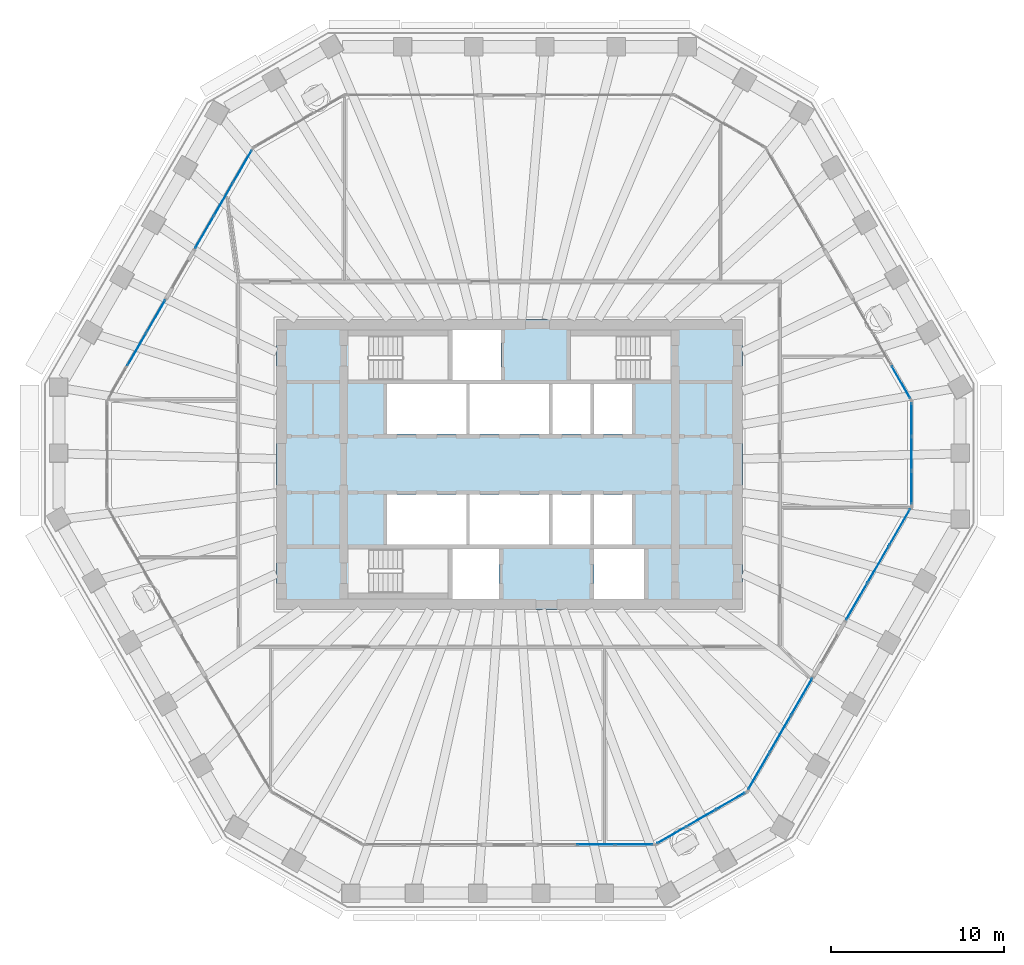
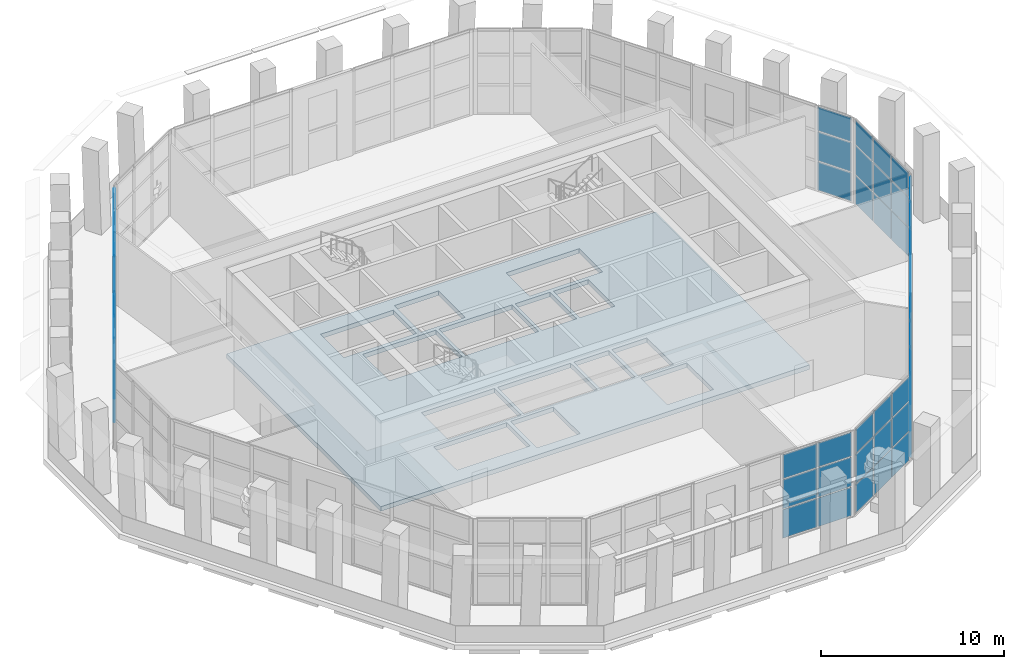
# One storey, part 10 of 19: 60 plates, 1 slab, 8 elements without a shape of their own.
"""IFC4 building model written with IfcOpenShell, lengths in metres."""

from ifc_helpers import new_model, si_unit, direction, frame, origin, origin_2d, place, context, subcontext, project, spatial, polyline, rectangle, outline, extrude, material, layer, layer_set, type_object, element, aggregate, save


model = new_model("IFC4")

# Units and contexts
model_context = context("Model", 3, precision=1e-05, world=origin(), true_north=direction((0.0, 1.0)))
body_context = subcontext(model_context, "Body", "Model", "MODEL_VIEW")
ifc_project = project(units=[si_unit("LENGTHUNIT", "METRE"), si_unit("AREAUNIT", "SQUARE_METRE"), si_unit("VOLUMEUNIT", "CUBIC_METRE"), si_unit("PLANEANGLEUNIT", "RADIAN"), si_unit("MASSUNIT", "GRAM", prefix="KILO")], contexts=[model_context])

# Site, building, storey
site_placement = place(None, origin())
site = spatial("IfcSite", under=ifc_project, at=site_placement, CompositionType="ELEMENT")
building_placement = place(site_placement, origin())
building = spatial("IfcBuilding", under=site, at=building_placement, Name="Frailejon Research Tower", CompositionType="ELEMENT")
storey_placement = place(building_placement, frame((0.0, 0.0, 231.39990234375)))
storey = spatial("IfcBuildingStorey", under=building, at=storey_placement, Name="L50", CompositionType="ELEMENT", Elevation=231.39990234375)

# Slab
ifc_material_1 = material(Name="Concrete C60/75", Category="concrete")
ifc_layer_1 = layer(ifc_material_1, 0.300048828125)
ifc_layer_set_1 = layer_set([ifc_layer_1], Name="Core floor slab 300 C60/75")
slab_type = type_object("IfcSlabType", Name="Core floor slab 300 C60/75", PredefinedType="FLOOR", material=ifc_layer_set_1)
slab_placement = place(storey_placement, frame((0.0, 0.0, -0.2998046875)))
element("IfcSlab", 1, at=slab_placement, inside=storey, type_object=slab_type, Name="Core floor slab", PredefinedType="FLOOR", context=body_context, shape_type="SweptSolid", body=[
    extrude(outline(polyline([(13.5, -8.39990234375), (13.5, 8.39990234375), (-13.5, 8.39990234375), (-13.5, -8.39990234375), (13.5, -8.39990234375)]), holes=[polyline([(-2.5, 1.75), (-2.5, 4.64990234375), (-7.10009765625, 4.64990234375), (-7.10009765625, 1.75), (-2.5, 1.75)]), polyline([(2.300048828125, 1.75), (2.300048828125, 4.64990234375), (-2.300048828125, 4.64990234375), (-2.300048828125, 1.75), (2.300048828125, 1.75)]), polyline([(4.699951171875, 1.75), (4.699951171875, 4.64990234375), (2.5, 4.64990234375), (2.5, 1.75), (4.699951171875, 1.75)]), polyline([(7.10009765625, 1.75), (7.10009765625, 4.64990234375), (4.89990234375, 4.64990234375), (4.89990234375, 1.75), (7.10009765625, 1.75)]), polyline([(-2.5, -4.64990234375), (-2.5, -1.75), (-7.10009765625, -1.75), (-7.10009765625, -4.64990234375), (-2.5, -4.64990234375)]), polyline([(2.300048828125, -4.64990234375), (2.300048828125, -1.75), (-2.300048828125, -1.75), (-2.300048828125, -4.64990234375), (2.300048828125, -4.64990234375)]), polyline([(4.699951171875, -4.64990234375), (4.699951171875, -1.75), (2.5, -1.75), (2.5, -4.64990234375), (4.699951171875, -4.64990234375)]), polyline([(7.10009765625, -4.64990234375), (7.10009765625, -1.75), (4.89990234375, -1.75), (4.89990234375, -4.64990234375), (7.10009765625, -4.64990234375)]), polyline([(-8.14697265625, 4.89990234375), (-3.550048828125, 4.89990234375), (-3.550048828125, 7.449951171875), (-8.14697265625, 7.449951171875), (-8.14697265625, 4.89990234375)]), polyline([(-8.14697265625, -7.449951171875), (-3.550048828125, -7.449951171875), (-3.550048828125, -4.89990234375), (-8.14697265625, -4.89990234375), (-8.14697265625, -7.449951171875)]), polyline([(8.14697265625, 7.449951171875), (3.550048828125, 7.449951171875), (3.550048828125, 4.89990234375), (8.14697265625, 4.89990234375), (8.14697265625, 7.449951171875)]), polyline([(-0.60009765625, -7.800048828125), (-0.60009765625, -4.89990234375), (-3.300048828125, -4.89990234375), (-3.300048828125, -7.800048828125), (-0.60009765625, -7.800048828125)]), polyline([(7.800048828125, -7.800048828125), (7.800048828125, -4.89990234375), (4.89990234375, -4.89990234375), (4.89990234375, -7.800048828125), (7.800048828125, -7.800048828125)]), polyline([(-0.5, 4.89990234375), (-0.5, 7.800048828125), (-3.300048828125, 7.800048828125), (-3.300048828125, 4.89990234375), (-0.5, 4.89990234375)])]), origin(), (0.0, 0.0, 1.0), 0.2998046875),
])

# Curtain wall, plates
ifc_material_2 = material(Name="Aluminium curtain wall", Category="aluminium")
curtain_wall_type = type_object("IfcCurtainWallType", Name="Sky lobby curtain wall system", PredefinedType="NOTDEFINED", material=ifc_material_2)
curtain_wall_1_placement = place(storey_placement, origin())
curtain_wall_1 = element("IfcCurtainWall", 2, at=curtain_wall_1_placement, inside=storey, type_object=curtain_wall_type, Name="Curtain wall L50", PredefinedType="NOTDEFINED")
ifc_material_3 = material(Name="Clear laminated glass", Category="glass")
ifc_layer_2 = layer(ifc_material_3, 0.031982421875)
ifc_layer_set_2 = layer_set([ifc_layer_2], Name="Sky lobby curtain wall glass panel 32")
plate_type = type_object("IfcPlateType", Name="Sky lobby curtain wall glass panel 32", PredefinedType="CURTAIN_PANEL", material=ifc_layer_set_2)
plate_1_placement = place(storey_placement, frame((23.29736328125, -1.338134765625, 0.070068359375), z_axis=(0.0, 0.0, 1.0), x_axis=(0.0, 1.0, 0.0)))
plate_1 = element("IfcPlate", 3, at=plate_1_placement, type_object=plate_type, Name="CW4-099 panel 1.1", PredefinedType="CURTAIN_PANEL", context=body_context, shape_type="SweptSolid", body=[
    extrude(rectangle(XDim=1.87939453125, YDim=0.031982421875, at=origin_2d()), origin(), (0.0, 0.0, 1.0), 1.89501953125),
])
plate_2_placement = place(storey_placement, frame((23.29736328125, -1.338134765625, 2.03515625), z_axis=(0.0, 0.0, 1.0), x_axis=(0.0, 1.0, 0.0)))
plate_2 = element("IfcPlate", 4, at=plate_2_placement, type_object=plate_type, Name="CW4-099 panel 1.2", PredefinedType="CURTAIN_PANEL", context=body_context, shape_type="SweptSolid", body=[
    extrude(rectangle(XDim=1.87939453125, YDim=0.031982421875, at=origin_2d()), origin(), (0.0, 0.0, 1.0), 1.929931640625),
])
plate_3_placement = place(storey_placement, frame((23.29736328125, -1.338134765625, 4.03515625), z_axis=(0.0, 0.0, 1.0), x_axis=(0.0, 1.0, 0.0)))
plate_3 = element("IfcPlate", 5, at=plate_3_placement, type_object=plate_type, Name="CW4-099 panel 1.3", PredefinedType="CURTAIN_PANEL", context=body_context, shape_type="SweptSolid", body=[
    extrude(rectangle(XDim=1.87939453125, YDim=0.031982421875, at=origin_2d()), origin(), (0.0, 0.0, 1.0), 1.594970703125),
])
plate_4_placement = place(storey_placement, frame((23.29736328125, 0.628662109375, 0.070068359375), z_axis=(0.0, 0.0, 1.0), x_axis=(0.0, 1.0, 0.0)))
plate_4 = element("IfcPlate", 6, at=plate_4_placement, type_object=plate_type, Name="CW4-099 panel 2.1", PredefinedType="CURTAIN_PANEL", context=body_context, shape_type="SweptSolid", body=[
    extrude(rectangle(XDim=1.914306640625, YDim=0.031982421875, at=origin_2d()), origin(), (0.0, 0.0, 1.0), 1.89501953125),
])
plate_5_placement = place(storey_placement, frame((23.29736328125, 0.628662109375, 2.03515625), z_axis=(0.0, 0.0, 1.0), x_axis=(0.0, 1.0, 0.0)))
plate_5 = element("IfcPlate", 7, at=plate_5_placement, type_object=plate_type, Name="CW4-099 panel 2.2", PredefinedType="CURTAIN_PANEL", context=body_context, shape_type="SweptSolid", body=[
    extrude(rectangle(XDim=1.914306640625, YDim=0.031982421875, at=origin_2d()), origin(), (0.0, 0.0, 1.0), 1.929931640625),
])
plate_6_placement = place(storey_placement, frame((23.29736328125, 0.628662109375, 4.03515625), z_axis=(0.0, 0.0, 1.0), x_axis=(0.0, 1.0, 0.0)))
plate_6 = element("IfcPlate", 8, at=plate_6_placement, type_object=plate_type, Name="CW4-099 panel 2.3", PredefinedType="CURTAIN_PANEL", context=body_context, shape_type="SweptSolid", body=[
    extrude(rectangle(XDim=1.914306640625, YDim=0.031982421875, at=origin_2d()), origin(), (0.0, 0.0, 1.0), 1.594970703125),
])
plate_7_placement = place(storey_placement, frame((23.29736328125, 2.595458984375, 0.070068359375), z_axis=(0.0, 0.0, 1.0), x_axis=(0.0, 1.0, 0.0)))
plate_7 = element("IfcPlate", 9, at=plate_7_placement, type_object=plate_type, Name="CW4-099 panel 3.1", PredefinedType="CURTAIN_PANEL", context=body_context, shape_type="SweptSolid", body=[
    extrude(rectangle(XDim=1.87939453125, YDim=0.031982421875, at=origin_2d()), origin(), (0.0, 0.0, 1.0), 1.89501953125),
])
plate_8_placement = place(storey_placement, frame((23.29736328125, 2.595458984375, 2.03515625), z_axis=(0.0, 0.0, 1.0), x_axis=(0.0, 1.0, 0.0)))
plate_8 = element("IfcPlate", 10, at=plate_8_placement, type_object=plate_type, Name="CW4-099 panel 3.2", PredefinedType="CURTAIN_PANEL", context=body_context, shape_type="SweptSolid", body=[
    extrude(rectangle(XDim=1.87939453125, YDim=0.031982421875, at=origin_2d()), origin(), (0.0, 0.0, 1.0), 1.929931640625),
])
plate_9_placement = place(storey_placement, frame((23.29736328125, 2.595458984375, 4.03515625), z_axis=(0.0, 0.0, 1.0), x_axis=(0.0, 1.0, 0.0)))
plate_9 = element("IfcPlate", 11, at=plate_9_placement, type_object=plate_type, Name="CW4-099 panel 3.3", PredefinedType="CURTAIN_PANEL", context=body_context, shape_type="SweptSolid", body=[
    extrude(rectangle(XDim=1.87939453125, YDim=0.031982421875, at=origin_2d()), origin(), (0.0, 0.0, 1.0), 1.594970703125),
])
aggregate(curtain_wall_1, [plate_1, plate_2, plate_3, plate_4, plate_5, plate_6, plate_7, plate_8, plate_9])

curtain_wall_2_placement = place(storey_placement, origin())
curtain_wall_2 = element("IfcCurtainWall", 12, at=curtain_wall_2_placement, inside=storey, type_object=curtain_wall_type, Name="Curtain wall L50", PredefinedType="NOTDEFINED")
plate_10_placement = place(storey_placement, frame((22.684326171875, 4.766845703125, 0.070068359375), z_axis=(0.0, 0.0, 1.0), x_axis=(-0.500000064178, 0.866025366731, 0.0)))
plate_10 = element("IfcPlate", 13, at=plate_10_placement, type_object=plate_type, Name="CW4-100 panel 1.1", PredefinedType="CURTAIN_PANEL", context=body_context, shape_type="SweptSolid", body=[
    extrude(rectangle(XDim=2.1123046875, YDim=0.031982421875, at=origin_2d()), origin(), (0.0, 0.0, 1.0), 1.89501953125),
])
plate_11_placement = place(storey_placement, frame((22.684326171875, 4.766845703125, 2.03515625), z_axis=(0.0, 0.0, 1.0), x_axis=(-0.500000064178, 0.866025366731, 0.0)))
plate_11 = element("IfcPlate", 14, at=plate_11_placement, type_object=plate_type, Name="CW4-100 panel 1.2", PredefinedType="CURTAIN_PANEL", context=body_context, shape_type="SweptSolid", body=[
    extrude(rectangle(XDim=2.1123046875, YDim=0.031982421875, at=origin_2d()), origin(), (0.0, 0.0, 1.0), 1.929931640625),
])
plate_12_placement = place(storey_placement, frame((22.684326171875, 4.766845703125, 4.03515625), z_axis=(0.0, 0.0, 1.0), x_axis=(-0.500000064178, 0.866025366731, 0.0)))
plate_12 = element("IfcPlate", 15, at=plate_12_placement, type_object=plate_type, Name="CW4-100 panel 1.3", PredefinedType="CURTAIN_PANEL", context=body_context, shape_type="SweptSolid", body=[
    extrude(rectangle(XDim=2.1123046875, YDim=0.031982421875, at=origin_2d()), origin(), (0.0, 0.0, 1.0), 1.594970703125),
])
aggregate(curtain_wall_2, [plate_10, plate_11, plate_12])

curtain_wall_3_placement = place(storey_placement, origin())
curtain_wall_3 = element("IfcCurtainWall", 16, at=curtain_wall_3_placement, inside=storey, type_object=curtain_wall_type, Name="Curtain wall L50", PredefinedType="NOTDEFINED")
plate_13_placement = place(storey_placement, frame((-15.470458984375, 17.26171875, 0.070068359375), z_axis=(0.0, 0.0, 1.0), x_axis=(-0.500000064178, -0.866025366731, 0.0)))
plate_13 = element("IfcPlate", 17, at=plate_13_placement, type_object=plate_type, Name="CW4-106 panel 1.1", PredefinedType="CURTAIN_PANEL", context=body_context, shape_type="SweptSolid", body=[
    extrude(rectangle(XDim=2.1123046875, YDim=0.031982421875, at=origin_2d()), origin(), (0.0, 0.0, 1.0), 1.89501953125),
])
plate_14_placement = place(storey_placement, frame((-15.470458984375, 17.26171875, 2.03515625), z_axis=(0.0, 0.0, 1.0), x_axis=(-0.500000064178, -0.866025366731, 0.0)))
plate_14 = element("IfcPlate", 18, at=plate_14_placement, type_object=plate_type, Name="CW4-106 panel 1.2", PredefinedType="CURTAIN_PANEL", context=body_context, shape_type="SweptSolid", body=[
    extrude(rectangle(XDim=2.1123046875, YDim=0.031982421875, at=origin_2d()), origin(), (0.0, 0.0, 1.0), 1.929931640625),
])
plate_15_placement = place(storey_placement, frame((-15.470458984375, 17.26171875, 4.03515625), z_axis=(0.0, 0.0, 1.0), x_axis=(-0.500000064178, -0.866025366731, 0.0)))
plate_15 = element("IfcPlate", 19, at=plate_15_placement, type_object=plate_type, Name="CW4-106 panel 1.3", PredefinedType="CURTAIN_PANEL", context=body_context, shape_type="SweptSolid", body=[
    extrude(rectangle(XDim=2.1123046875, YDim=0.031982421875, at=origin_2d()), origin(), (0.0, 0.0, 1.0), 1.594970703125),
])
plate_16_placement = place(storey_placement, frame((-16.5703125, 15.3564453125, 0.070068359375), z_axis=(0.0, 0.0, 1.0), x_axis=(-0.500000064178, -0.866025366731, 0.0)))
plate_16 = element("IfcPlate", 20, at=plate_16_placement, type_object=plate_type, Name="CW4-106 panel 2.1", PredefinedType="CURTAIN_PANEL", context=body_context, shape_type="SweptSolid", body=[
    extrude(rectangle(XDim=2.147216796875, YDim=0.031982421875, at=origin_2d()), origin(), (0.0, 0.0, 1.0), 1.89501953125),
])
plate_17_placement = place(storey_placement, frame((-16.5703125, 15.3564453125, 2.03515625), z_axis=(0.0, 0.0, 1.0), x_axis=(-0.500000064178, -0.866025366731, 0.0)))
plate_17 = element("IfcPlate", 21, at=plate_17_placement, type_object=plate_type, Name="CW4-106 panel 2.2", PredefinedType="CURTAIN_PANEL", context=body_context, shape_type="SweptSolid", body=[
    extrude(rectangle(XDim=2.147216796875, YDim=0.031982421875, at=origin_2d()), origin(), (0.0, 0.0, 1.0), 1.929931640625),
])
plate_18_placement = place(storey_placement, frame((-16.5703125, 15.3564453125, 4.03515625), z_axis=(0.0, 0.0, 1.0), x_axis=(-0.500000064178, -0.866025366731, 0.0)))
plate_18 = element("IfcPlate", 22, at=plate_18_placement, type_object=plate_type, Name="CW4-106 panel 2.3", PredefinedType="CURTAIN_PANEL", context=body_context, shape_type="SweptSolid", body=[
    extrude(rectangle(XDim=2.147216796875, YDim=0.031982421875, at=origin_2d()), origin(), (0.0, 0.0, 1.0), 1.594970703125),
])
plate_19_placement = place(storey_placement, frame((-17.670166015625, 13.451416015625, 0.070068359375), z_axis=(0.0, 0.0, 1.0), x_axis=(-0.500000064178, -0.866025366731, 0.0)))
plate_19 = element("IfcPlate", 23, at=plate_19_placement, type_object=plate_type, Name="CW4-106 panel 3.1", PredefinedType="CURTAIN_PANEL", context=body_context, shape_type="SweptSolid", body=[
    extrude(rectangle(XDim=2.1123046875, YDim=0.031982421875, at=origin_2d()), origin(), (0.0, 0.0, 1.0), 1.89501953125),
])
plate_20_placement = place(storey_placement, frame((-17.670166015625, 13.451416015625, 2.03515625), z_axis=(0.0, 0.0, 1.0), x_axis=(-0.500000064178, -0.866025366731, 0.0)))
plate_20 = element("IfcPlate", 24, at=plate_20_placement, type_object=plate_type, Name="CW4-106 panel 3.2", PredefinedType="CURTAIN_PANEL", context=body_context, shape_type="SweptSolid", body=[
    extrude(rectangle(XDim=2.1123046875, YDim=0.031982421875, at=origin_2d()), origin(), (0.0, 0.0, 1.0), 1.929931640625),
])
plate_21_placement = place(storey_placement, frame((-17.670166015625, 13.451416015625, 4.03515625), z_axis=(0.0, 0.0, 1.0), x_axis=(-0.500000064178, -0.866025366731, 0.0)))
plate_21 = element("IfcPlate", 25, at=plate_21_placement, type_object=plate_type, Name="CW4-106 panel 3.3", PredefinedType="CURTAIN_PANEL", context=body_context, shape_type="SweptSolid", body=[
    extrude(rectangle(XDim=2.1123046875, YDim=0.031982421875, at=origin_2d()), origin(), (0.0, 0.0, 1.0), 1.594970703125),
])
aggregate(curtain_wall_3, [plate_13, plate_14, plate_15, plate_16, plate_17, plate_18, plate_19, plate_20, plate_21])

curtain_wall_4_placement = place(storey_placement, origin())
curtain_wall_4 = element("IfcCurtainWall", 26, at=curtain_wall_4_placement, inside=storey, type_object=curtain_wall_type, Name="Curtain wall L50", PredefinedType="NOTDEFINED")
plate_22_placement = place(storey_placement, frame((-20.484375, 8.5771484375, 0.070068359375), z_axis=(0.0, 0.0, 1.0), x_axis=(-0.500000064178, -0.866025366731, 0.0)))
plate_22 = element("IfcPlate", 27, at=plate_22_placement, type_object=plate_type, Name="CW4-107 panel 1.1", PredefinedType="CURTAIN_PANEL", context=body_context, shape_type="SweptSolid", body=[
    extrude(rectangle(XDim=2.1123046875, YDim=0.031982421875, at=origin_2d()), origin(), (0.0, 0.0, 1.0), 1.89501953125),
])
plate_23_placement = place(storey_placement, frame((-20.484375, 8.5771484375, 2.03515625), z_axis=(0.0, 0.0, 1.0), x_axis=(-0.500000064178, -0.866025366731, 0.0)))
plate_23 = element("IfcPlate", 28, at=plate_23_placement, type_object=plate_type, Name="CW4-107 panel 1.2", PredefinedType="CURTAIN_PANEL", context=body_context, shape_type="SweptSolid", body=[
    extrude(rectangle(XDim=2.1123046875, YDim=0.031982421875, at=origin_2d()), origin(), (0.0, 0.0, 1.0), 1.929931640625),
])
plate_24_placement = place(storey_placement, frame((-20.484375, 8.5771484375, 4.03515625), z_axis=(0.0, 0.0, 1.0), x_axis=(-0.500000064178, -0.866025366731, 0.0)))
plate_24 = element("IfcPlate", 29, at=plate_24_placement, type_object=plate_type, Name="CW4-107 panel 1.3", PredefinedType="CURTAIN_PANEL", context=body_context, shape_type="SweptSolid", body=[
    extrude(rectangle(XDim=2.1123046875, YDim=0.031982421875, at=origin_2d()), origin(), (0.0, 0.0, 1.0), 1.594970703125),
])
plate_25_placement = place(storey_placement, frame((-21.584228515625, 6.672119140625, 0.070068359375), z_axis=(0.0, 0.0, 1.0), x_axis=(-0.500000064178, -0.866025366731, 0.0)))
plate_25 = element("IfcPlate", 30, at=plate_25_placement, type_object=plate_type, Name="CW4-107 panel 2.1", PredefinedType="CURTAIN_PANEL", context=body_context, shape_type="SweptSolid", body=[
    extrude(rectangle(XDim=2.147216796875, YDim=0.031982421875, at=origin_2d()), origin(), (0.0, 0.0, 1.0), 1.89501953125),
])
plate_26_placement = place(storey_placement, frame((-21.584228515625, 6.672119140625, 2.03515625), z_axis=(0.0, 0.0, 1.0), x_axis=(-0.500000064178, -0.866025366731, 0.0)))
plate_26 = element("IfcPlate", 31, at=plate_26_placement, type_object=plate_type, Name="CW4-107 panel 2.2", PredefinedType="CURTAIN_PANEL", context=body_context, shape_type="SweptSolid", body=[
    extrude(rectangle(XDim=2.147216796875, YDim=0.031982421875, at=origin_2d()), origin(), (0.0, 0.0, 1.0), 1.929931640625),
])
plate_27_placement = place(storey_placement, frame((-21.584228515625, 6.672119140625, 4.03515625), z_axis=(0.0, 0.0, 1.0), x_axis=(-0.500000064178, -0.866025366731, 0.0)))
plate_27 = element("IfcPlate", 32, at=plate_27_placement, type_object=plate_type, Name="CW4-107 panel 2.3", PredefinedType="CURTAIN_PANEL", context=body_context, shape_type="SweptSolid", body=[
    extrude(rectangle(XDim=2.147216796875, YDim=0.031982421875, at=origin_2d()), origin(), (0.0, 0.0, 1.0), 1.594970703125),
])
aggregate(curtain_wall_4, [plate_22, plate_23, plate_24, plate_25, plate_26, plate_27])

curtain_wall_5_placement = place(storey_placement, origin())
curtain_wall_5 = element("IfcCurtainWall", 33, at=curtain_wall_5_placement, inside=storey, type_object=curtain_wall_type, Name="Curtain wall L50", PredefinedType="NOTDEFINED")
plate_28_placement = place(storey_placement, frame((5.013916015625, -22.028564453125, 0.070068359375), z_axis=(0.0, 0.0, 1.0), x_axis=(1.0, 0.0, 0.0)))
plate_28 = element("IfcPlate", 34, at=plate_28_placement, type_object=plate_type, Name="CW4-113 panel 2.1", PredefinedType="CURTAIN_PANEL", context=body_context, shape_type="SweptSolid", body=[
    extrude(rectangle(XDim=2.147216796875, YDim=0.031982421875, at=origin_2d()), origin(), (0.0, 0.0, 1.0), 1.89501953125),
])
plate_29_placement = place(storey_placement, frame((5.013916015625, -22.028564453125, 2.03515625), z_axis=(0.0, 0.0, 1.0), x_axis=(1.0, 0.0, 0.0)))
plate_29 = element("IfcPlate", 35, at=plate_29_placement, type_object=plate_type, Name="CW4-113 panel 2.2", PredefinedType="CURTAIN_PANEL", context=body_context, shape_type="SweptSolid", body=[
    extrude(rectangle(XDim=2.147216796875, YDim=0.031982421875, at=origin_2d()), origin(), (0.0, 0.0, 1.0), 1.929931640625),
])
plate_30_placement = place(storey_placement, frame((5.013916015625, -22.028564453125, 4.03515625), z_axis=(0.0, 0.0, 1.0), x_axis=(1.0, 0.0, 0.0)))
plate_30 = element("IfcPlate", 36, at=plate_30_placement, type_object=plate_type, Name="CW4-113 panel 2.3", PredefinedType="CURTAIN_PANEL", context=body_context, shape_type="SweptSolid", body=[
    extrude(rectangle(XDim=2.147216796875, YDim=0.031982421875, at=origin_2d()), origin(), (0.0, 0.0, 1.0), 1.594970703125),
])
plate_31_placement = place(storey_placement, frame((7.2138671875, -22.028564453125, 0.070068359375), z_axis=(0.0, 0.0, 1.0), x_axis=(1.0, 0.0, 0.0)))
plate_31 = element("IfcPlate", 37, at=plate_31_placement, type_object=plate_type, Name="CW4-113 panel 3.1", PredefinedType="CURTAIN_PANEL", context=body_context, shape_type="SweptSolid", body=[
    extrude(rectangle(XDim=2.1123046875, YDim=0.031982421875, at=origin_2d()), origin(), (0.0, 0.0, 1.0), 1.89501953125),
])
plate_32_placement = place(storey_placement, frame((7.2138671875, -22.028564453125, 2.03515625), z_axis=(0.0, 0.0, 1.0), x_axis=(1.0, 0.0, 0.0)))
plate_32 = element("IfcPlate", 38, at=plate_32_placement, type_object=plate_type, Name="CW4-113 panel 3.2", PredefinedType="CURTAIN_PANEL", context=body_context, shape_type="SweptSolid", body=[
    extrude(rectangle(XDim=2.1123046875, YDim=0.031982421875, at=origin_2d()), origin(), (0.0, 0.0, 1.0), 1.929931640625),
])
plate_33_placement = place(storey_placement, frame((7.2138671875, -22.028564453125, 4.03515625), z_axis=(0.0, 0.0, 1.0), x_axis=(1.0, 0.0, 0.0)))
plate_33 = element("IfcPlate", 39, at=plate_33_placement, type_object=plate_type, Name="CW4-113 panel 3.3", PredefinedType="CURTAIN_PANEL", context=body_context, shape_type="SweptSolid", body=[
    extrude(rectangle(XDim=2.1123046875, YDim=0.031982421875, at=origin_2d()), origin(), (0.0, 0.0, 1.0), 1.594970703125),
])
aggregate(curtain_wall_5, [plate_28, plate_29, plate_30, plate_31, plate_32, plate_33])

curtain_wall_6_placement = place(storey_placement, origin())
curtain_wall_6 = element("IfcCurtainWall", 40, at=curtain_wall_6_placement, inside=storey, type_object=curtain_wall_type, Name="Curtain wall L50", PredefinedType="NOTDEFINED")
plate_34_placement = place(storey_placement, frame((9.40087890625, -21.4736328125, 0.070068359375), z_axis=(0.0, 0.0, 1.0), x_axis=(0.866030610282, 0.499990981974, 0.0)))
plate_34 = element("IfcPlate", 41, at=plate_34_placement, type_object=plate_type, Name="CW4-114 panel 1.1", PredefinedType="CURTAIN_PANEL", context=body_context, shape_type="SweptSolid", body=[
    extrude(rectangle(XDim=1.87939453125, YDim=0.031982421875, at=origin_2d()), origin(), (0.0, 0.0, 1.0), 1.89501953125),
])
plate_35_placement = place(storey_placement, frame((9.40087890625, -21.4736328125, 2.03515625), z_axis=(0.0, 0.0, 1.0), x_axis=(0.866030610282, 0.499990981974, 0.0)))
plate_35 = element("IfcPlate", 42, at=plate_35_placement, type_object=plate_type, Name="CW4-114 panel 1.2", PredefinedType="CURTAIN_PANEL", context=body_context, shape_type="SweptSolid", body=[
    extrude(rectangle(XDim=1.87939453125, YDim=0.031982421875, at=origin_2d()), origin(), (0.0, 0.0, 1.0), 1.929931640625),
])
plate_36_placement = place(storey_placement, frame((9.40087890625, -21.4736328125, 4.03515625), z_axis=(0.0, 0.0, 1.0), x_axis=(0.866030610282, 0.499990981974, 0.0)))
plate_36 = element("IfcPlate", 43, at=plate_36_placement, type_object=plate_type, Name="CW4-114 panel 1.3", PredefinedType="CURTAIN_PANEL", context=body_context, shape_type="SweptSolid", body=[
    extrude(rectangle(XDim=1.87939453125, YDim=0.031982421875, at=origin_2d()), origin(), (0.0, 0.0, 1.0), 1.594970703125),
])
plate_37_placement = place(storey_placement, frame((11.104248046875, -20.490234375, 0.070068359375), z_axis=(0.0, 0.0, 1.0), x_axis=(0.866030610282, 0.499990981974, 0.0)))
plate_37 = element("IfcPlate", 44, at=plate_37_placement, type_object=plate_type, Name="CW4-114 panel 2.1", PredefinedType="CURTAIN_PANEL", context=body_context, shape_type="SweptSolid", body=[
    extrude(rectangle(XDim=1.914306640625, YDim=0.031982421875, at=origin_2d()), origin(), (0.0, 0.0, 1.0), 1.89501953125),
])
plate_38_placement = place(storey_placement, frame((11.104248046875, -20.490234375, 2.03515625), z_axis=(0.0, 0.0, 1.0), x_axis=(0.866030610282, 0.499990981974, 0.0)))
plate_38 = element("IfcPlate", 45, at=plate_38_placement, type_object=plate_type, Name="CW4-114 panel 2.2", PredefinedType="CURTAIN_PANEL", context=body_context, shape_type="SweptSolid", body=[
    extrude(rectangle(XDim=1.914306640625, YDim=0.031982421875, at=origin_2d()), origin(), (0.0, 0.0, 1.0), 1.929931640625),
])
plate_39_placement = place(storey_placement, frame((11.104248046875, -20.490234375, 4.03515625), z_axis=(0.0, 0.0, 1.0), x_axis=(0.866030610282, 0.499990981974, 0.0)))
plate_39 = element("IfcPlate", 46, at=plate_39_placement, type_object=plate_type, Name="CW4-114 panel 2.3", PredefinedType="CURTAIN_PANEL", context=body_context, shape_type="SweptSolid", body=[
    extrude(rectangle(XDim=1.914306640625, YDim=0.031982421875, at=origin_2d()), origin(), (0.0, 0.0, 1.0), 1.594970703125),
])
plate_40_placement = place(storey_placement, frame((12.8076171875, -19.5068359375, 0.070068359375), z_axis=(0.0, 0.0, 1.0), x_axis=(0.866030610282, 0.499990981974, 0.0)))
plate_40 = element("IfcPlate", 47, at=plate_40_placement, type_object=plate_type, Name="CW4-114 panel 3.1", PredefinedType="CURTAIN_PANEL", context=body_context, shape_type="SweptSolid", body=[
    extrude(rectangle(XDim=1.87939453125, YDim=0.031982421875, at=origin_2d()), origin(), (0.0, 0.0, 1.0), 1.89501953125),
])
plate_41_placement = place(storey_placement, frame((12.8076171875, -19.5068359375, 2.03515625), z_axis=(0.0, 0.0, 1.0), x_axis=(0.866030610282, 0.499990981974, 0.0)))
plate_41 = element("IfcPlate", 48, at=plate_41_placement, type_object=plate_type, Name="CW4-114 panel 3.2", PredefinedType="CURTAIN_PANEL", context=body_context, shape_type="SweptSolid", body=[
    extrude(rectangle(XDim=1.87939453125, YDim=0.031982421875, at=origin_2d()), origin(), (0.0, 0.0, 1.0), 1.929931640625),
])
plate_42_placement = place(storey_placement, frame((12.8076171875, -19.5068359375, 4.03515625), z_axis=(0.0, 0.0, 1.0), x_axis=(0.866030610282, 0.499990981974, 0.0)))
plate_42 = element("IfcPlate", 49, at=plate_42_placement, type_object=plate_type, Name="CW4-114 panel 3.3", PredefinedType="CURTAIN_PANEL", context=body_context, shape_type="SweptSolid", body=[
    extrude(rectangle(XDim=1.87939453125, YDim=0.031982421875, at=origin_2d()), origin(), (0.0, 0.0, 1.0), 1.594970703125),
])
aggregate(curtain_wall_6, [plate_34, plate_35, plate_36, plate_37, plate_38, plate_39, plate_40, plate_41, plate_42])

curtain_wall_7_placement = place(storey_placement, origin())
curtain_wall_7 = element("IfcCurtainWall", 50, at=curtain_wall_7_placement, inside=storey, type_object=curtain_wall_type, Name="Curtain wall L50", PredefinedType="NOTDEFINED")
plate_43_placement = place(storey_placement, frame((14.454345703125, -17.764404296875, 0.070068359375), z_axis=(0.0, 0.0, 1.0), x_axis=(0.500000524505, 0.866025100961, 0.0)))
plate_43 = element("IfcPlate", 51, at=plate_43_placement, type_object=plate_type, Name="CW4-115 panel 1.1", PredefinedType="CURTAIN_PANEL", context=body_context, shape_type="SweptSolid", body=[
    extrude(rectangle(XDim=2.402587890625, YDim=0.031982421875, at=origin_2d()), origin(), (0.0, 0.0, 1.0), 1.89501953125),
])
plate_44_placement = place(storey_placement, frame((14.454345703125, -17.764404296875, 2.03515625), z_axis=(0.0, 0.0, 1.0), x_axis=(0.500000524505, 0.866025100961, 0.0)))
plate_44 = element("IfcPlate", 52, at=plate_44_placement, type_object=plate_type, Name="CW4-115 panel 1.2", PredefinedType="CURTAIN_PANEL", context=body_context, shape_type="SweptSolid", body=[
    extrude(rectangle(XDim=2.402587890625, YDim=0.031982421875, at=origin_2d()), origin(), (0.0, 0.0, 1.0), 1.929931640625),
])
plate_45_placement = place(storey_placement, frame((14.454345703125, -17.764404296875, 4.03515625), z_axis=(0.0, 0.0, 1.0), x_axis=(0.500000524505, 0.866025100961, 0.0)))
plate_45 = element("IfcPlate", 53, at=plate_45_placement, type_object=plate_type, Name="CW4-115 panel 1.3", PredefinedType="CURTAIN_PANEL", context=body_context, shape_type="SweptSolid", body=[
    extrude(rectangle(XDim=2.402587890625, YDim=0.031982421875, at=origin_2d()), origin(), (0.0, 0.0, 1.0), 1.594970703125),
])
plate_46_placement = place(storey_placement, frame((15.699462890625, -15.60791015625, 0.070068359375), z_axis=(0.0, 0.0, 1.0), x_axis=(0.500000524505, 0.866025100961, 0.0)))
plate_46 = element("IfcPlate", 54, at=plate_46_placement, type_object=plate_type, Name="CW4-115 panel 2.1", PredefinedType="CURTAIN_PANEL", context=body_context, shape_type="SweptSolid", body=[
    extrude(rectangle(XDim=2.437744140625, YDim=0.031982421875, at=origin_2d()), origin(), (0.0, 0.0, 1.0), 1.89501953125),
])
plate_47_placement = place(storey_placement, frame((15.699462890625, -15.60791015625, 2.03515625), z_axis=(0.0, 0.0, 1.0), x_axis=(0.500000524505, 0.866025100961, 0.0)))
plate_47 = element("IfcPlate", 55, at=plate_47_placement, type_object=plate_type, Name="CW4-115 panel 2.2", PredefinedType="CURTAIN_PANEL", context=body_context, shape_type="SweptSolid", body=[
    extrude(rectangle(XDim=2.437744140625, YDim=0.031982421875, at=origin_2d()), origin(), (0.0, 0.0, 1.0), 1.929931640625),
])
plate_48_placement = place(storey_placement, frame((15.699462890625, -15.60791015625, 4.03515625), z_axis=(0.0, 0.0, 1.0), x_axis=(0.500000524505, 0.866025100961, 0.0)))
plate_48 = element("IfcPlate", 56, at=plate_48_placement, type_object=plate_type, Name="CW4-115 panel 2.3", PredefinedType="CURTAIN_PANEL", context=body_context, shape_type="SweptSolid", body=[
    extrude(rectangle(XDim=2.437744140625, YDim=0.031982421875, at=origin_2d()), origin(), (0.0, 0.0, 1.0), 1.594970703125),
])
plate_49_placement = place(storey_placement, frame((16.9443359375, -13.451416015625, 0.070068359375), z_axis=(0.0, 0.0, 1.0), x_axis=(0.500000524505, 0.866025100961, 0.0)))
plate_49 = element("IfcPlate", 57, at=plate_49_placement, type_object=plate_type, Name="CW4-115 panel 3.1", PredefinedType="CURTAIN_PANEL", context=body_context, shape_type="SweptSolid", body=[
    extrude(rectangle(XDim=2.402587890625, YDim=0.031982421875, at=origin_2d()), origin(), (0.0, 0.0, 1.0), 1.89501953125),
])
plate_50_placement = place(storey_placement, frame((16.9443359375, -13.451416015625, 2.03515625), z_axis=(0.0, 0.0, 1.0), x_axis=(0.500000524505, 0.866025100961, 0.0)))
plate_50 = element("IfcPlate", 58, at=plate_50_placement, type_object=plate_type, Name="CW4-115 panel 3.2", PredefinedType="CURTAIN_PANEL", context=body_context, shape_type="SweptSolid", body=[
    extrude(rectangle(XDim=2.402587890625, YDim=0.031982421875, at=origin_2d()), origin(), (0.0, 0.0, 1.0), 1.929931640625),
])
plate_51_placement = place(storey_placement, frame((16.9443359375, -13.451416015625, 4.03515625), z_axis=(0.0, 0.0, 1.0), x_axis=(0.500000524505, 0.866025100961, 0.0)))
plate_51 = element("IfcPlate", 59, at=plate_51_placement, type_object=plate_type, Name="CW4-115 panel 3.3", PredefinedType="CURTAIN_PANEL", context=body_context, shape_type="SweptSolid", body=[
    extrude(rectangle(XDim=2.402587890625, YDim=0.031982421875, at=origin_2d()), origin(), (0.0, 0.0, 1.0), 1.594970703125),
])
aggregate(curtain_wall_7, [plate_43, plate_44, plate_45, plate_46, plate_47, plate_48, plate_49, plate_50, plate_51])

curtain_wall_8_placement = place(storey_placement, origin())
curtain_wall_8 = element("IfcCurtainWall", 60, at=curtain_wall_8_placement, inside=storey, type_object=curtain_wall_type, Name="Curtain wall L50", PredefinedType="NOTDEFINED")
plate_52_placement = place(storey_placement, frame((20.12158203125, -7.948486328125, 0.070068359375), z_axis=(0.0, 0.0, 1.0), x_axis=(0.500000524505, 0.866025100961, 0.0)))
plate_52 = element("IfcPlate", 61, at=plate_52_placement, type_object=plate_type, Name="CW4-116 panel 1.1", PredefinedType="CURTAIN_PANEL", context=body_context, shape_type="SweptSolid", body=[
    extrude(rectangle(XDim=2.402587890625, YDim=0.031982421875, at=origin_2d()), origin(), (0.0, 0.0, 1.0), 1.89501953125),
])
plate_53_placement = place(storey_placement, frame((20.12158203125, -7.948486328125, 2.03515625), z_axis=(0.0, 0.0, 1.0), x_axis=(0.500000524505, 0.866025100961, 0.0)))
plate_53 = element("IfcPlate", 62, at=plate_53_placement, type_object=plate_type, Name="CW4-116 panel 1.2", PredefinedType="CURTAIN_PANEL", context=body_context, shape_type="SweptSolid", body=[
    extrude(rectangle(XDim=2.402587890625, YDim=0.031982421875, at=origin_2d()), origin(), (0.0, 0.0, 1.0), 1.929931640625),
])
plate_54_placement = place(storey_placement, frame((20.12158203125, -7.948486328125, 4.03515625), z_axis=(0.0, 0.0, 1.0), x_axis=(0.500000524505, 0.866025100961, 0.0)))
plate_54 = element("IfcPlate", 63, at=plate_54_placement, type_object=plate_type, Name="CW4-116 panel 1.3", PredefinedType="CURTAIN_PANEL", context=body_context, shape_type="SweptSolid", body=[
    extrude(rectangle(XDim=2.402587890625, YDim=0.031982421875, at=origin_2d()), origin(), (0.0, 0.0, 1.0), 1.594970703125),
])
plate_55_placement = place(storey_placement, frame((21.366455078125, -5.7919921875, 0.070068359375), z_axis=(0.0, 0.0, 1.0), x_axis=(0.500000524505, 0.866025100961, 0.0)))
plate_55 = element("IfcPlate", 64, at=plate_55_placement, type_object=plate_type, Name="CW4-116 panel 2.1", PredefinedType="CURTAIN_PANEL", context=body_context, shape_type="SweptSolid", body=[
    extrude(rectangle(XDim=2.437744140625, YDim=0.031982421875, at=origin_2d()), origin(), (0.0, 0.0, 1.0), 1.89501953125),
])
plate_56_placement = place(storey_placement, frame((21.366455078125, -5.7919921875, 2.03515625), z_axis=(0.0, 0.0, 1.0), x_axis=(0.500000524505, 0.866025100961, 0.0)))
plate_56 = element("IfcPlate", 65, at=plate_56_placement, type_object=plate_type, Name="CW4-116 panel 2.2", PredefinedType="CURTAIN_PANEL", context=body_context, shape_type="SweptSolid", body=[
    extrude(rectangle(XDim=2.437744140625, YDim=0.031982421875, at=origin_2d()), origin(), (0.0, 0.0, 1.0), 1.929931640625),
])
plate_57_placement = place(storey_placement, frame((21.366455078125, -5.7919921875, 4.03515625), z_axis=(0.0, 0.0, 1.0), x_axis=(0.500000524505, 0.866025100961, 0.0)))
plate_57 = element("IfcPlate", 66, at=plate_57_placement, type_object=plate_type, Name="CW4-116 panel 2.3", PredefinedType="CURTAIN_PANEL", context=body_context, shape_type="SweptSolid", body=[
    extrude(rectangle(XDim=2.437744140625, YDim=0.031982421875, at=origin_2d()), origin(), (0.0, 0.0, 1.0), 1.594970703125),
])
plate_58_placement = place(storey_placement, frame((22.611572265625, -3.635498046875, 0.070068359375), z_axis=(0.0, 0.0, 1.0), x_axis=(0.500000524505, 0.866025100961, 0.0)))
plate_58 = element("IfcPlate", 67, at=plate_58_placement, type_object=plate_type, Name="CW4-116 panel 3.1", PredefinedType="CURTAIN_PANEL", context=body_context, shape_type="SweptSolid", body=[
    extrude(rectangle(XDim=2.402587890625, YDim=0.031982421875, at=origin_2d()), origin(), (0.0, 0.0, 1.0), 1.89501953125),
])
plate_59_placement = place(storey_placement, frame((22.611572265625, -3.635498046875, 2.03515625), z_axis=(0.0, 0.0, 1.0), x_axis=(0.500000524505, 0.866025100961, 0.0)))
plate_59 = element("IfcPlate", 68, at=plate_59_placement, type_object=plate_type, Name="CW4-116 panel 3.2", PredefinedType="CURTAIN_PANEL", context=body_context, shape_type="SweptSolid", body=[
    extrude(rectangle(XDim=2.402587890625, YDim=0.031982421875, at=origin_2d()), origin(), (0.0, 0.0, 1.0), 1.929931640625),
])
plate_60_placement = place(storey_placement, frame((22.611572265625, -3.635498046875, 4.03515625), z_axis=(0.0, 0.0, 1.0), x_axis=(0.500000524505, 0.866025100961, 0.0)))
plate_60 = element("IfcPlate", 69, at=plate_60_placement, type_object=plate_type, Name="CW4-116 panel 3.3", PredefinedType="CURTAIN_PANEL", context=body_context, shape_type="SweptSolid", body=[
    extrude(rectangle(XDim=2.402587890625, YDim=0.031982421875, at=origin_2d()), origin(), (0.0, 0.0, 1.0), 1.594970703125),
])
aggregate(curtain_wall_8, [plate_52, plate_53, plate_54, plate_55, plate_56, plate_57, plate_58, plate_59, plate_60])

save(model, "model.ifc")
